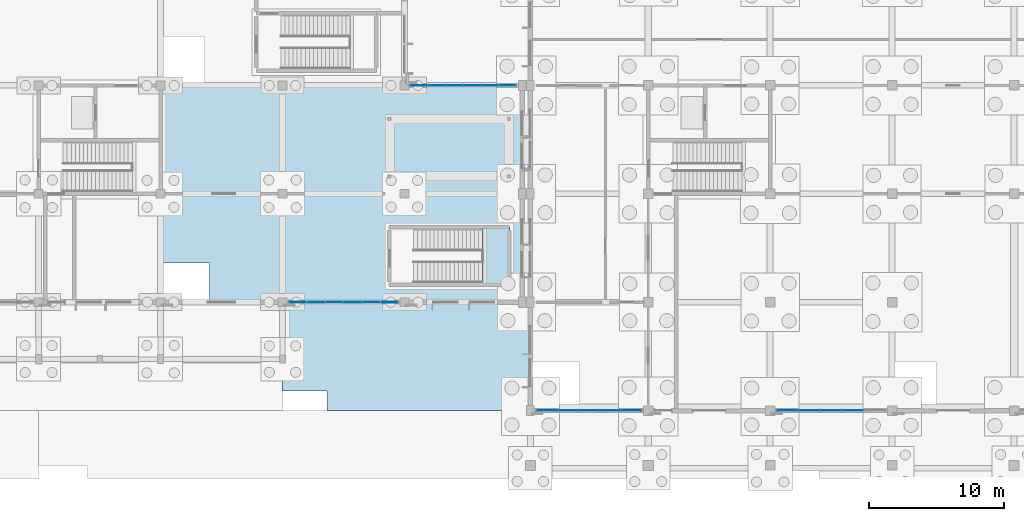
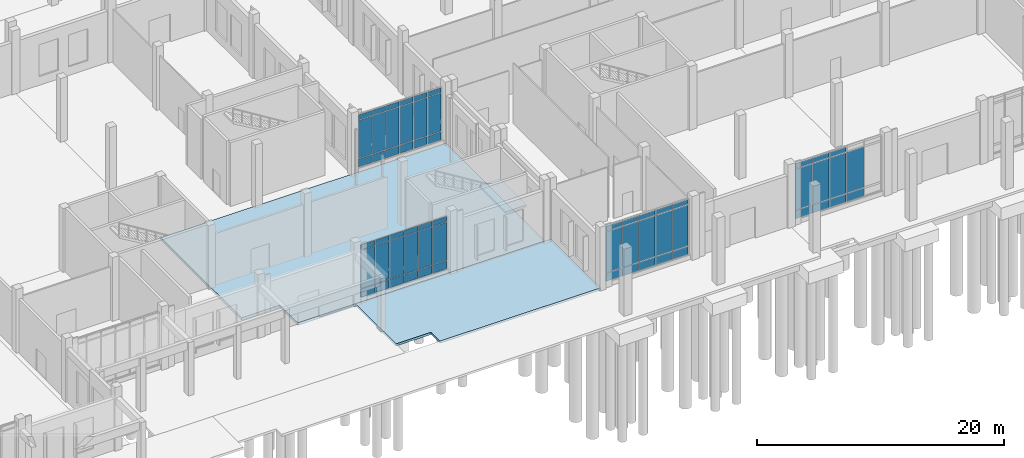
# One storey, part 49 of 99: 62 plates, 3 slabs, 5 elements without a shape of their own.
"""IFC4 building model written with IfcOpenShell, lengths in metres."""

from ifc_helpers import new_model, si_unit, direction, frame, origin, origin_2d, place, context, subcontext, project, spatial, polyline, rectangle, outline, extrude, material, layer, layer_set, type_object, element, aggregate, save


model = new_model("IFC4")

# Units and contexts
model_context = context("Model", 3, precision=1e-05, world=origin(), true_north=direction((0.0, 1.0)))
body_context = subcontext(model_context, "Body", "Model", "MODEL_VIEW")
ifc_project = project(units=[si_unit("LENGTHUNIT", "METRE"), si_unit("AREAUNIT", "SQUARE_METRE"), si_unit("VOLUMEUNIT", "CUBIC_METRE"), si_unit("PLANEANGLEUNIT", "RADIAN"), si_unit("MASSUNIT", "GRAM", prefix="KILO")], contexts=[model_context])

# Site, building, storey
site_placement = place(None, origin())
site = spatial("IfcSite", under=ifc_project, at=site_placement, CompositionType="ELEMENT")
building_placement = place(site_placement, origin())
building = spatial("IfcBuilding", under=site, at=building_placement, Name="Zacnel Wholesale Market", CompositionType="ELEMENT")
storey_placement = place(building_placement, origin())
storey = spatial("IfcBuildingStorey", under=building, at=storey_placement, Name="L01", CompositionType="ELEMENT", Elevation=0.0)

# Curtain wall, plates
ifc_material_1 = material(Name="Anodised aluminium", Category="aluminium")
ifc_layer_1 = layer(ifc_material_1, 0.179931640625)
ifc_layer_set_1 = layer_set([ifc_layer_1], Name="Anodised aluminium")
curtain_wall_type_1 = type_object("IfcCurtainWallType", Name="CW-BLVD-5400", PredefinedType="NOTDEFINED", material=ifc_layer_set_1)
curtain_wall_1_placement = place(storey_placement, origin())
curtain_wall_1 = element("IfcCurtainWall", 1, at=curtain_wall_1_placement, inside=storey, type_object=curtain_wall_type_1, Name="Curtain wall ENV-R2-CW-L01-005", PredefinedType="NOTDEFINED")
ifc_material_2 = material(Name="Laminated hurricane-impact low-E insulated glass", Category="glass")
ifc_layer_2 = layer(ifc_material_2, 0.028076171875)
ifc_layer_set_2 = layer_set([ifc_layer_2], Name="Laminated hurricane-impact low-E insulated glass")
plate_type_1 = type_object("IfcPlateType", Name="CWP-PNL-01", PredefinedType="CURTAIN_PANEL", material=ifc_layer_set_2)
plate_1_placement = place(storey_placement, frame((145.528076171875, 0.0, 1.330078125), z_axis=(0.0, 0.0, 1.0), x_axis=(1.0, 0.0, 0.0)))
plate_1 = element("IfcPlate", 2, at=plate_1_placement, type_object=plate_type_1, Name="ENV-R2-CW-L01-005 panel 1-2", PredefinedType="CURTAIN_PANEL", context=body_context, shape_type="SweptSolid", body=[
    extrude(rectangle(XDim=1.486083984375, YDim=0.028076171875, at=origin_2d()), origin(), (0.0, 0.0, 1.0), 4.0400390625),
])
plate_2_placement = place(storey_placement, frame((147.083984375, 0.0, 1.330078125), z_axis=(0.0, 0.0, 1.0), x_axis=(1.0, 0.0, 0.0)))
plate_2 = element("IfcPlate", 3, at=plate_2_placement, type_object=plate_type_1, Name="ENV-R2-CW-L01-005 panel 2-2", PredefinedType="CURTAIN_PANEL", context=body_context, shape_type="SweptSolid", body=[
    extrude(rectangle(XDim=1.486083984375, YDim=0.028076171875, at=origin_2d()), origin(), (0.0, 0.0, 1.0), 4.0400390625),
])
plate_3_placement = place(storey_placement, frame((148.639892578125, 0.0, 1.330078125), z_axis=(0.0, 0.0, 1.0), x_axis=(1.0, 0.0, 0.0)))
plate_3 = element("IfcPlate", 4, at=plate_3_placement, type_object=plate_type_1, Name="ENV-R2-CW-L01-005 panel 3-2", PredefinedType="CURTAIN_PANEL", context=body_context, shape_type="SweptSolid", body=[
    extrude(rectangle(XDim=1.486083984375, YDim=0.028076171875, at=origin_2d()), origin(), (0.0, 0.0, 1.0), 4.0400390625),
])
plate_4_placement = place(storey_placement, frame((150.196044921875, 0.0, 1.330078125), z_axis=(0.0, 0.0, 1.0), x_axis=(1.0, 0.0, 0.0)))
plate_4 = element("IfcPlate", 5, at=plate_4_placement, type_object=plate_type_1, Name="ENV-R2-CW-L01-005 panel 4-2", PredefinedType="CURTAIN_PANEL", context=body_context, shape_type="SweptSolid", body=[
    extrude(rectangle(XDim=1.486083984375, YDim=0.028076171875, at=origin_2d()), origin(), (0.0, 0.0, 1.0), 4.0400390625),
])
plate_5_placement = place(storey_placement, frame((151.751953125, 0.0, 1.330078125), z_axis=(0.0, 0.0, 1.0), x_axis=(1.0, 0.0, 0.0)))
plate_5 = element("IfcPlate", 6, at=plate_5_placement, type_object=plate_type_1, Name="ENV-R2-CW-L01-005 panel 5-2", PredefinedType="CURTAIN_PANEL", context=body_context, shape_type="SweptSolid", body=[
    extrude(rectangle(XDim=1.486083984375, YDim=0.028076171875, at=origin_2d()), origin(), (0.0, 0.0, 1.0), 4.0400390625),
])

curtain_wall_2_placement = place(storey_placement, origin())
curtain_wall_2 = element("IfcCurtainWall", 7, at=curtain_wall_2_placement, inside=storey, type_object=curtain_wall_type_1, Name="Curtain wall ENV-R2-CW-L01-006", PredefinedType="NOTDEFINED")
plate_6_placement = place(storey_placement, frame((163.27587890625, 0.0, 1.330078125), z_axis=(0.0, 0.0, 1.0), x_axis=(1.0, 0.0, 0.0)))
plate_6 = element("IfcPlate", 8, at=plate_6_placement, type_object=plate_type_1, Name="ENV-R2-CW-L01-006 panel 1-2", PredefinedType="CURTAIN_PANEL", context=body_context, shape_type="SweptSolid", body=[
    extrude(rectangle(XDim=1.5419921875, YDim=0.028076171875, at=origin_2d()), origin(), (0.0, 0.0, 1.0), 4.0400390625),
])
plate_7_placement = place(storey_placement, frame((164.887939453125, 0.0, 1.330078125), z_axis=(0.0, 0.0, 1.0), x_axis=(1.0, 0.0, 0.0)))
plate_7 = element("IfcPlate", 9, at=plate_7_placement, type_object=plate_type_1, Name="ENV-R2-CW-L01-006 panel 2-2", PredefinedType="CURTAIN_PANEL", context=body_context, shape_type="SweptSolid", body=[
    extrude(rectangle(XDim=1.5419921875, YDim=0.028076171875, at=origin_2d()), origin(), (0.0, 0.0, 1.0), 4.0400390625),
])
plate_8_placement = place(storey_placement, frame((166.5, 0.0, 1.330078125), z_axis=(0.0, 0.0, 1.0), x_axis=(1.0, 0.0, 0.0)))
plate_8 = element("IfcPlate", 10, at=plate_8_placement, type_object=plate_type_1, Name="ENV-R2-CW-L01-006 panel 3-2", PredefinedType="CURTAIN_PANEL", context=body_context, shape_type="SweptSolid", body=[
    extrude(rectangle(XDim=1.5419921875, YDim=0.028076171875, at=origin_2d()), origin(), (0.0, 0.0, 1.0), 4.0400390625),
])
plate_9_placement = place(storey_placement, frame((168.112060546875, 0.0, 1.330078125), z_axis=(0.0, 0.0, 1.0), x_axis=(1.0, 0.0, 0.0)))
plate_9 = element("IfcPlate", 11, at=plate_9_placement, type_object=plate_type_1, Name="ENV-R2-CW-L01-006 panel 4-2", PredefinedType="CURTAIN_PANEL", context=body_context, shape_type="SweptSolid", body=[
    extrude(rectangle(XDim=1.5419921875, YDim=0.028076171875, at=origin_2d()), origin(), (0.0, 0.0, 1.0), 4.0400390625),
])

ifc_material_3 = material(Name="Anodised aluminium", Category="aluminium")
ifc_layer_3 = layer(ifc_material_3, 0.159912109375)
ifc_layer_set_3 = layer_set([ifc_layer_3], Name="Anodised aluminium")
curtain_wall_type_2 = type_object("IfcCurtainWallType", Name="CW-TERR-3900", PredefinedType="NOTDEFINED", material=ifc_layer_set_3)
curtain_wall_3_placement = place(storey_placement, origin())
curtain_wall_3 = element("IfcCurtainWall", 12, at=curtain_wall_3_placement, inside=storey, type_object=curtain_wall_type_2, Name="Curtain wall ENV-R2-CW-L01-003", PredefinedType="NOTDEFINED")
ifc_material_4 = material(Name="Laminated hurricane-impact low-E insulated glass", Category="glass")
ifc_layer_4 = layer(ifc_material_4, 0.02392578125)
ifc_layer_set_4 = layer_set([ifc_layer_4], Name="Laminated hurricane-impact low-E insulated glass")
plate_type_2 = type_object("IfcPlateType", Name="CWP-PNL-03", PredefinedType="CURTAIN_PANEL", material=ifc_layer_set_4)
plate_10_placement = place(storey_placement, frame((127.125, 8.0, 1.330078125), z_axis=(0.0, 0.0, 1.0), x_axis=(1.0, 0.0, 0.0)))
plate_10 = element("IfcPlate", 13, at=plate_10_placement, type_object=plate_type_2, Name="ENV-R2-CW-L01-003 panel 1-2", PredefinedType="CURTAIN_PANEL", context=body_context, shape_type="SweptSolid", body=[
    extrude(rectangle(XDim=1.280029296875, YDim=0.02392578125, at=origin_2d()), origin(), (0.0, 0.0, 1.0), 3.760009765625),
])
plate_11_placement = place(storey_placement, frame((128.47509765625, 8.0, 1.330078125), z_axis=(0.0, 0.0, 1.0), x_axis=(1.0, 0.0, 0.0)))
plate_11 = element("IfcPlate", 14, at=plate_11_placement, type_object=plate_type_2, Name="ENV-R2-CW-L01-003 panel 2-2", PredefinedType="CURTAIN_PANEL", context=body_context, shape_type="SweptSolid", body=[
    extrude(rectangle(XDim=1.280029296875, YDim=0.02392578125, at=origin_2d()), origin(), (0.0, 0.0, 1.0), 3.760009765625),
])
plate_12_placement = place(storey_placement, frame((129.824951171875, 8.0, 1.330078125), z_axis=(0.0, 0.0, 1.0), x_axis=(1.0, 0.0, 0.0)))
plate_12 = element("IfcPlate", 15, at=plate_12_placement, type_object=plate_type_2, Name="ENV-R2-CW-L01-003 panel 3-2", PredefinedType="CURTAIN_PANEL", context=body_context, shape_type="SweptSolid", body=[
    extrude(rectangle(XDim=1.280029296875, YDim=0.02392578125, at=origin_2d()), origin(), (0.0, 0.0, 1.0), 3.760009765625),
])
plate_13_placement = place(storey_placement, frame((131.175048828125, 8.0, 1.330078125), z_axis=(0.0, 0.0, 1.0), x_axis=(1.0, 0.0, 0.0)))
plate_13 = element("IfcPlate", 16, at=plate_13_placement, type_object=plate_type_2, Name="ENV-R2-CW-L01-003 panel 4-2", PredefinedType="CURTAIN_PANEL", context=body_context, shape_type="SweptSolid", body=[
    extrude(rectangle(XDim=1.280029296875, YDim=0.02392578125, at=origin_2d()), origin(), (0.0, 0.0, 1.0), 3.760009765625),
])
plate_14_placement = place(storey_placement, frame((132.52490234375, 8.0, 1.330078125), z_axis=(0.0, 0.0, 1.0), x_axis=(1.0, 0.0, 0.0)))
plate_14 = element("IfcPlate", 17, at=plate_14_placement, type_object=plate_type_2, Name="ENV-R2-CW-L01-003 panel 5-2", PredefinedType="CURTAIN_PANEL", context=body_context, shape_type="SweptSolid", body=[
    extrude(rectangle(XDim=1.280029296875, YDim=0.02392578125, at=origin_2d()), origin(), (0.0, 0.0, 1.0), 3.760009765625),
])
plate_15_placement = place(storey_placement, frame((133.875, 8.0, 1.330078125), z_axis=(0.0, 0.0, 1.0), x_axis=(1.0, 0.0, 0.0)))
plate_15 = element("IfcPlate", 18, at=plate_15_placement, type_object=plate_type_2, Name="ENV-R2-CW-L01-003 panel 6-2", PredefinedType="CURTAIN_PANEL", context=body_context, shape_type="SweptSolid", body=[
    extrude(rectangle(XDim=1.280029296875, YDim=0.02392578125, at=origin_2d()), origin(), (0.0, 0.0, 1.0), 3.760009765625),
])

curtain_wall_4_placement = place(storey_placement, origin())
curtain_wall_4 = element("IfcCurtainWall", 19, at=curtain_wall_4_placement, inside=storey, type_object=curtain_wall_type_2, Name="Curtain wall ENV-R2-CW-L01-004", PredefinedType="NOTDEFINED")
plate_16_placement = place(storey_placement, frame((136.10009765625, 24.0, 1.330078125), z_axis=(0.0, 0.0, 1.0), x_axis=(1.0, 0.0, 0.0)))
plate_16 = element("IfcPlate", 20, at=plate_16_placement, type_object=plate_type_2, Name="ENV-R2-CW-L01-004 panel 1-2", PredefinedType="CURTAIN_PANEL", context=body_context, shape_type="SweptSolid", body=[
    extrude(rectangle(XDim=1.22998046875, YDim=0.02392578125, at=origin_2d()), origin(), (0.0, 0.0, 1.0), 3.760009765625),
])
plate_17_placement = place(storey_placement, frame((137.39990234375, 24.0, 1.330078125), z_axis=(0.0, 0.0, 1.0), x_axis=(1.0, 0.0, 0.0)))
plate_17 = element("IfcPlate", 21, at=plate_17_placement, type_object=plate_type_2, Name="ENV-R2-CW-L01-004 panel 2-2", PredefinedType="CURTAIN_PANEL", context=body_context, shape_type="SweptSolid", body=[
    extrude(rectangle(XDim=1.22998046875, YDim=0.02392578125, at=origin_2d()), origin(), (0.0, 0.0, 1.0), 3.760009765625),
])
plate_18_placement = place(storey_placement, frame((138.699951171875, 24.0, 1.330078125), z_axis=(0.0, 0.0, 1.0), x_axis=(1.0, 0.0, 0.0)))
plate_18 = element("IfcPlate", 22, at=plate_18_placement, type_object=plate_type_2, Name="ENV-R2-CW-L01-004 panel 3-2", PredefinedType="CURTAIN_PANEL", context=body_context, shape_type="SweptSolid", body=[
    extrude(rectangle(XDim=1.22998046875, YDim=0.02392578125, at=origin_2d()), origin(), (0.0, 0.0, 1.0), 3.760009765625),
])
plate_19_placement = place(storey_placement, frame((140.0, 24.0, 1.330078125), z_axis=(0.0, 0.0, 1.0), x_axis=(1.0, 0.0, 0.0)))
plate_19 = element("IfcPlate", 23, at=plate_19_placement, type_object=plate_type_2, Name="ENV-R2-CW-L01-004 panel 4-2", PredefinedType="CURTAIN_PANEL", context=body_context, shape_type="SweptSolid", body=[
    extrude(rectangle(XDim=1.22998046875, YDim=0.02392578125, at=origin_2d()), origin(), (0.0, 0.0, 1.0), 3.760009765625),
])
plate_20_placement = place(storey_placement, frame((141.300048828125, 24.0, 1.330078125), z_axis=(0.0, 0.0, 1.0), x_axis=(1.0, 0.0, 0.0)))
plate_20 = element("IfcPlate", 24, at=plate_20_placement, type_object=plate_type_2, Name="ENV-R2-CW-L01-004 panel 5-2", PredefinedType="CURTAIN_PANEL", context=body_context, shape_type="SweptSolid", body=[
    extrude(rectangle(XDim=1.22998046875, YDim=0.02392578125, at=origin_2d()), origin(), (0.0, 0.0, 1.0), 3.760009765625),
])
plate_21_placement = place(storey_placement, frame((142.60009765625, 24.0, 1.330078125), z_axis=(0.0, 0.0, 1.0), x_axis=(1.0, 0.0, 0.0)))
plate_21 = element("IfcPlate", 25, at=plate_21_placement, type_object=plate_type_2, Name="ENV-R2-CW-L01-004 panel 6-2", PredefinedType="CURTAIN_PANEL", context=body_context, shape_type="SweptSolid", body=[
    extrude(rectangle(XDim=1.22998046875, YDim=0.02392578125, at=origin_2d()), origin(), (0.0, 0.0, 1.0), 3.760009765625),
])

# Plate
ifc_material_5 = material(Name="Anodised aluminium", Category="aluminium")
ifc_layer_5 = layer(ifc_material_5, 0.0400390625)
ifc_layer_set_5 = layer_set([ifc_layer_5], Name="Anodised aluminium")
plate_type_3 = type_object("IfcPlateType", Name="CWP-PNL-05", PredefinedType="CURTAIN_PANEL", material=ifc_layer_set_5)
plate_22_placement = place(storey_placement, frame((127.125, 8.0, 0.47998046875), z_axis=(0.0, 0.0, 1.0), x_axis=(1.0, 0.0, 0.0)))
plate_22 = element("IfcPlate", 26, at=plate_22_placement, type_object=plate_type_3, Name="ENV-R2-CW-L01-003 panel 1-1", PredefinedType="CURTAIN_PANEL", context=body_context, shape_type="SweptSolid", body=[
    extrude(rectangle(XDim=1.280029296875, YDim=0.0400390625, at=origin_2d()), origin(), (0.0, 0.0, 1.0), 0.7900390625),
])

plate_23_placement = place(storey_placement, frame((127.125, 8.0, 5.14990234375), z_axis=(0.0, 0.0, 1.0), x_axis=(1.0, 0.0, 0.0)))
plate_23 = element("IfcPlate", 27, at=plate_23_placement, type_object=plate_type_3, Name="ENV-R2-CW-L01-003 panel 1-3", PredefinedType="CURTAIN_PANEL", context=body_context, shape_type="SweptSolid", body=[
    extrude(rectangle(XDim=1.280029296875, YDim=0.0400390625, at=origin_2d()), origin(), (0.0, 0.0, 1.0), 0.489990234375),
])

plate_24_placement = place(storey_placement, frame((129.824951171875, 8.0, 0.47998046875), z_axis=(0.0, 0.0, 1.0), x_axis=(1.0, 0.0, 0.0)))
plate_24 = element("IfcPlate", 28, at=plate_24_placement, type_object=plate_type_3, Name="ENV-R2-CW-L01-003 panel 3-1", PredefinedType="CURTAIN_PANEL", context=body_context, shape_type="SweptSolid", body=[
    extrude(rectangle(XDim=1.280029296875, YDim=0.0400390625, at=origin_2d()), origin(), (0.0, 0.0, 1.0), 0.7900390625),
])

plate_25_placement = place(storey_placement, frame((129.824951171875, 8.0, 5.14990234375), z_axis=(0.0, 0.0, 1.0), x_axis=(1.0, 0.0, 0.0)))
plate_25 = element("IfcPlate", 29, at=plate_25_placement, type_object=plate_type_3, Name="ENV-R2-CW-L01-003 panel 3-3", PredefinedType="CURTAIN_PANEL", context=body_context, shape_type="SweptSolid", body=[
    extrude(rectangle(XDim=1.280029296875, YDim=0.0400390625, at=origin_2d()), origin(), (0.0, 0.0, 1.0), 0.489990234375),
])

plate_26_placement = place(storey_placement, frame((132.52490234375, 8.0, 0.47998046875), z_axis=(0.0, 0.0, 1.0), x_axis=(1.0, 0.0, 0.0)))
plate_26 = element("IfcPlate", 30, at=plate_26_placement, type_object=plate_type_3, Name="ENV-R2-CW-L01-003 panel 5-1", PredefinedType="CURTAIN_PANEL", context=body_context, shape_type="SweptSolid", body=[
    extrude(rectangle(XDim=1.280029296875, YDim=0.0400390625, at=origin_2d()), origin(), (0.0, 0.0, 1.0), 0.7900390625),
])

plate_27_placement = place(storey_placement, frame((132.52490234375, 8.0, 5.14990234375), z_axis=(0.0, 0.0, 1.0), x_axis=(1.0, 0.0, 0.0)))
plate_27 = element("IfcPlate", 31, at=plate_27_placement, type_object=plate_type_3, Name="ENV-R2-CW-L01-003 panel 5-3", PredefinedType="CURTAIN_PANEL", context=body_context, shape_type="SweptSolid", body=[
    extrude(rectangle(XDim=1.280029296875, YDim=0.0400390625, at=origin_2d()), origin(), (0.0, 0.0, 1.0), 0.489990234375),
])

plate_28_placement = place(storey_placement, frame((136.10009765625, 24.0, 0.47998046875), z_axis=(0.0, 0.0, 1.0), x_axis=(1.0, 0.0, 0.0)))
plate_28 = element("IfcPlate", 32, at=plate_28_placement, type_object=plate_type_3, Name="ENV-R2-CW-L01-004 panel 1-1", PredefinedType="CURTAIN_PANEL", context=body_context, shape_type="SweptSolid", body=[
    extrude(rectangle(XDim=1.22998046875, YDim=0.0400390625, at=origin_2d()), origin(), (0.0, 0.0, 1.0), 0.7900390625),
])

plate_29_placement = place(storey_placement, frame((136.10009765625, 24.0, 5.14990234375), z_axis=(0.0, 0.0, 1.0), x_axis=(1.0, 0.0, 0.0)))
plate_29 = element("IfcPlate", 33, at=plate_29_placement, type_object=plate_type_3, Name="ENV-R2-CW-L01-004 panel 1-3", PredefinedType="CURTAIN_PANEL", context=body_context, shape_type="SweptSolid", body=[
    extrude(rectangle(XDim=1.22998046875, YDim=0.0400390625, at=origin_2d()), origin(), (0.0, 0.0, 1.0), 0.489990234375),
])

plate_30_placement = place(storey_placement, frame((138.699951171875, 24.0, 0.47998046875), z_axis=(0.0, 0.0, 1.0), x_axis=(1.0, 0.0, 0.0)))
plate_30 = element("IfcPlate", 34, at=plate_30_placement, type_object=plate_type_3, Name="ENV-R2-CW-L01-004 panel 3-1", PredefinedType="CURTAIN_PANEL", context=body_context, shape_type="SweptSolid", body=[
    extrude(rectangle(XDim=1.22998046875, YDim=0.0400390625, at=origin_2d()), origin(), (0.0, 0.0, 1.0), 0.7900390625),
])

plate_31_placement = place(storey_placement, frame((138.699951171875, 24.0, 5.14990234375), z_axis=(0.0, 0.0, 1.0), x_axis=(1.0, 0.0, 0.0)))
plate_31 = element("IfcPlate", 35, at=plate_31_placement, type_object=plate_type_3, Name="ENV-R2-CW-L01-004 panel 3-3", PredefinedType="CURTAIN_PANEL", context=body_context, shape_type="SweptSolid", body=[
    extrude(rectangle(XDim=1.22998046875, YDim=0.0400390625, at=origin_2d()), origin(), (0.0, 0.0, 1.0), 0.489990234375),
])

plate_32_placement = place(storey_placement, frame((141.300048828125, 24.0, 0.47998046875), z_axis=(0.0, 0.0, 1.0), x_axis=(1.0, 0.0, 0.0)))
plate_32 = element("IfcPlate", 36, at=plate_32_placement, type_object=plate_type_3, Name="ENV-R2-CW-L01-004 panel 5-1", PredefinedType="CURTAIN_PANEL", context=body_context, shape_type="SweptSolid", body=[
    extrude(rectangle(XDim=1.22998046875, YDim=0.0400390625, at=origin_2d()), origin(), (0.0, 0.0, 1.0), 0.7900390625),
])

plate_33_placement = place(storey_placement, frame((141.300048828125, 24.0, 5.14990234375), z_axis=(0.0, 0.0, 1.0), x_axis=(1.0, 0.0, 0.0)))
plate_33 = element("IfcPlate", 37, at=plate_33_placement, type_object=plate_type_3, Name="ENV-R2-CW-L01-004 panel 5-3", PredefinedType="CURTAIN_PANEL", context=body_context, shape_type="SweptSolid", body=[
    extrude(rectangle(XDim=1.22998046875, YDim=0.0400390625, at=origin_2d()), origin(), (0.0, 0.0, 1.0), 0.489990234375),
])

plate_34_placement = place(storey_placement, frame((145.528076171875, 0.0, 0.47998046875), z_axis=(0.0, 0.0, 1.0), x_axis=(1.0, 0.0, 0.0)))
plate_34 = element("IfcPlate", 38, at=plate_34_placement, type_object=plate_type_3, Name="ENV-R2-CW-L01-005 panel 1-1", PredefinedType="CURTAIN_PANEL", context=body_context, shape_type="SweptSolid", body=[
    extrude(rectangle(XDim=1.486083984375, YDim=0.0400390625, at=origin_2d()), origin(), (0.0, 0.0, 1.0), 0.7900390625),
])

plate_35_placement = place(storey_placement, frame((145.528076171875, 0.0, 5.43017578125), z_axis=(0.0, 0.0, 1.0), x_axis=(1.0, 0.0, 0.0)))
plate_35 = element("IfcPlate", 39, at=plate_35_placement, type_object=plate_type_3, Name="ENV-R2-CW-L01-005 panel 1-3", PredefinedType="CURTAIN_PANEL", context=body_context, shape_type="SweptSolid", body=[
    extrude(rectangle(XDim=1.486083984375, YDim=0.0400390625, at=origin_2d()), origin(), (0.0, 0.0, 1.0), 0.489990234375),
])

plate_36_placement = place(storey_placement, frame((148.639892578125, 0.0, 0.47998046875), z_axis=(0.0, 0.0, 1.0), x_axis=(1.0, 0.0, 0.0)))
plate_36 = element("IfcPlate", 40, at=plate_36_placement, type_object=plate_type_3, Name="ENV-R2-CW-L01-005 panel 3-1", PredefinedType="CURTAIN_PANEL", context=body_context, shape_type="SweptSolid", body=[
    extrude(rectangle(XDim=1.486083984375, YDim=0.0400390625, at=origin_2d()), origin(), (0.0, 0.0, 1.0), 0.7900390625),
])

plate_37_placement = place(storey_placement, frame((148.639892578125, 0.0, 5.43017578125), z_axis=(0.0, 0.0, 1.0), x_axis=(1.0, 0.0, 0.0)))
plate_37 = element("IfcPlate", 41, at=plate_37_placement, type_object=plate_type_3, Name="ENV-R2-CW-L01-005 panel 3-3", PredefinedType="CURTAIN_PANEL", context=body_context, shape_type="SweptSolid", body=[
    extrude(rectangle(XDim=1.486083984375, YDim=0.0400390625, at=origin_2d()), origin(), (0.0, 0.0, 1.0), 0.489990234375),
])

plate_38_placement = place(storey_placement, frame((151.751953125, 0.0, 0.47998046875), z_axis=(0.0, 0.0, 1.0), x_axis=(1.0, 0.0, 0.0)))
plate_38 = element("IfcPlate", 42, at=plate_38_placement, type_object=plate_type_3, Name="ENV-R2-CW-L01-005 panel 5-1", PredefinedType="CURTAIN_PANEL", context=body_context, shape_type="SweptSolid", body=[
    extrude(rectangle(XDim=1.486083984375, YDim=0.0400390625, at=origin_2d()), origin(), (0.0, 0.0, 1.0), 0.7900390625),
])

plate_39_placement = place(storey_placement, frame((151.751953125, 0.0, 5.43017578125), z_axis=(0.0, 0.0, 1.0), x_axis=(1.0, 0.0, 0.0)))
plate_39 = element("IfcPlate", 43, at=plate_39_placement, type_object=plate_type_3, Name="ENV-R2-CW-L01-005 panel 5-3", PredefinedType="CURTAIN_PANEL", context=body_context, shape_type="SweptSolid", body=[
    extrude(rectangle(XDim=1.486083984375, YDim=0.0400390625, at=origin_2d()), origin(), (0.0, 0.0, 1.0), 0.489990234375),
])

plate_40_placement = place(storey_placement, frame((163.27587890625, 0.0, 0.47998046875), z_axis=(0.0, 0.0, 1.0), x_axis=(1.0, 0.0, 0.0)))
plate_40 = element("IfcPlate", 44, at=plate_40_placement, type_object=plate_type_3, Name="ENV-R2-CW-L01-006 panel 1-1", PredefinedType="CURTAIN_PANEL", context=body_context, shape_type="SweptSolid", body=[
    extrude(rectangle(XDim=1.5419921875, YDim=0.0400390625, at=origin_2d()), origin(), (0.0, 0.0, 1.0), 0.7900390625),
])

plate_41_placement = place(storey_placement, frame((163.27587890625, 0.0, 5.43017578125), z_axis=(0.0, 0.0, 1.0), x_axis=(1.0, 0.0, 0.0)))
plate_41 = element("IfcPlate", 45, at=plate_41_placement, type_object=plate_type_3, Name="ENV-R2-CW-L01-006 panel 1-3", PredefinedType="CURTAIN_PANEL", context=body_context, shape_type="SweptSolid", body=[
    extrude(rectangle(XDim=1.5419921875, YDim=0.0400390625, at=origin_2d()), origin(), (0.0, 0.0, 1.0), 0.489990234375),
])

plate_42_placement = place(storey_placement, frame((166.5, 0.0, 0.47998046875), z_axis=(0.0, 0.0, 1.0), x_axis=(1.0, 0.0, 0.0)))
plate_42 = element("IfcPlate", 46, at=plate_42_placement, type_object=plate_type_3, Name="ENV-R2-CW-L01-006 panel 3-1", PredefinedType="CURTAIN_PANEL", context=body_context, shape_type="SweptSolid", body=[
    extrude(rectangle(XDim=1.5419921875, YDim=0.0400390625, at=origin_2d()), origin(), (0.0, 0.0, 1.0), 0.7900390625),
])

plate_43_placement = place(storey_placement, frame((166.5, 0.0, 5.43017578125), z_axis=(0.0, 0.0, 1.0), x_axis=(1.0, 0.0, 0.0)))
plate_43 = element("IfcPlate", 47, at=plate_43_placement, type_object=plate_type_3, Name="ENV-R2-CW-L01-006 panel 3-3", PredefinedType="CURTAIN_PANEL", context=body_context, shape_type="SweptSolid", body=[
    extrude(rectangle(XDim=1.5419921875, YDim=0.0400390625, at=origin_2d()), origin(), (0.0, 0.0, 1.0), 0.489990234375),
])

ifc_material_6 = material(Name="Honed Yucatan Maya cream limestone", Category="masonry")
ifc_layer_6 = layer(ifc_material_6, 0.044921875)
ifc_layer_set_6 = layer_set([ifc_layer_6], Name="Honed Yucatan Maya cream limestone")
plate_type_4 = type_object("IfcPlateType", Name="CWP-PNL-06", PredefinedType="CURTAIN_PANEL", material=ifc_layer_set_6)
plate_44_placement = place(storey_placement, frame((128.47509765625, 8.0, 0.47998046875), z_axis=(0.0, 0.0, 1.0), x_axis=(1.0, 0.0, 0.0)))
plate_44 = element("IfcPlate", 48, at=plate_44_placement, type_object=plate_type_4, Name="ENV-R2-CW-L01-003 panel 2-1", PredefinedType="CURTAIN_PANEL", context=body_context, shape_type="SweptSolid", body=[
    extrude(rectangle(XDim=1.280029296875, YDim=0.044921875, at=origin_2d()), origin(), (0.0, 0.0, 1.0), 0.7900390625),
])

plate_45_placement = place(storey_placement, frame((128.47509765625, 8.0, 5.14990234375), z_axis=(0.0, 0.0, 1.0), x_axis=(1.0, 0.0, 0.0)))
plate_45 = element("IfcPlate", 49, at=plate_45_placement, type_object=plate_type_4, Name="ENV-R2-CW-L01-003 panel 2-3", PredefinedType="CURTAIN_PANEL", context=body_context, shape_type="SweptSolid", body=[
    extrude(rectangle(XDim=1.280029296875, YDim=0.044921875, at=origin_2d()), origin(), (0.0, 0.0, 1.0), 0.489990234375),
])

plate_46_placement = place(storey_placement, frame((131.175048828125, 8.0, 0.47998046875), z_axis=(0.0, 0.0, 1.0), x_axis=(1.0, 0.0, 0.0)))
plate_46 = element("IfcPlate", 50, at=plate_46_placement, type_object=plate_type_4, Name="ENV-R2-CW-L01-003 panel 4-1", PredefinedType="CURTAIN_PANEL", context=body_context, shape_type="SweptSolid", body=[
    extrude(rectangle(XDim=1.280029296875, YDim=0.044921875, at=origin_2d()), origin(), (0.0, 0.0, 1.0), 0.7900390625),
])

plate_47_placement = place(storey_placement, frame((131.175048828125, 8.0, 5.14990234375), z_axis=(0.0, 0.0, 1.0), x_axis=(1.0, 0.0, 0.0)))
plate_47 = element("IfcPlate", 51, at=plate_47_placement, type_object=plate_type_4, Name="ENV-R2-CW-L01-003 panel 4-3", PredefinedType="CURTAIN_PANEL", context=body_context, shape_type="SweptSolid", body=[
    extrude(rectangle(XDim=1.280029296875, YDim=0.044921875, at=origin_2d()), origin(), (0.0, 0.0, 1.0), 0.489990234375),
])

plate_48_placement = place(storey_placement, frame((133.875, 8.0, 0.47998046875), z_axis=(0.0, 0.0, 1.0), x_axis=(1.0, 0.0, 0.0)))
plate_48 = element("IfcPlate", 52, at=plate_48_placement, type_object=plate_type_4, Name="ENV-R2-CW-L01-003 panel 6-1", PredefinedType="CURTAIN_PANEL", context=body_context, shape_type="SweptSolid", body=[
    extrude(rectangle(XDim=1.280029296875, YDim=0.044921875, at=origin_2d()), origin(), (0.0, 0.0, 1.0), 0.7900390625),
])

plate_49_placement = place(storey_placement, frame((133.875, 8.0, 5.14990234375), z_axis=(0.0, 0.0, 1.0), x_axis=(1.0, 0.0, 0.0)))
plate_49 = element("IfcPlate", 53, at=plate_49_placement, type_object=plate_type_4, Name="ENV-R2-CW-L01-003 panel 6-3", PredefinedType="CURTAIN_PANEL", context=body_context, shape_type="SweptSolid", body=[
    extrude(rectangle(XDim=1.280029296875, YDim=0.044921875, at=origin_2d()), origin(), (0.0, 0.0, 1.0), 0.489990234375),
])

aggregate(curtain_wall_3, [plate_22, plate_10, plate_23, plate_44, plate_11, plate_45, plate_24, plate_12, plate_25, plate_46, plate_13, plate_47, plate_26, plate_14, plate_27, plate_48, plate_15, plate_49])

plate_50_placement = place(storey_placement, frame((137.39990234375, 24.0, 0.47998046875), z_axis=(0.0, 0.0, 1.0), x_axis=(1.0, 0.0, 0.0)))
plate_50 = element("IfcPlate", 54, at=plate_50_placement, type_object=plate_type_4, Name="ENV-R2-CW-L01-004 panel 2-1", PredefinedType="CURTAIN_PANEL", context=body_context, shape_type="SweptSolid", body=[
    extrude(rectangle(XDim=1.22998046875, YDim=0.044921875, at=origin_2d()), origin(), (0.0, 0.0, 1.0), 0.7900390625),
])

plate_51_placement = place(storey_placement, frame((137.39990234375, 24.0, 5.14990234375), z_axis=(0.0, 0.0, 1.0), x_axis=(1.0, 0.0, 0.0)))
plate_51 = element("IfcPlate", 55, at=plate_51_placement, type_object=plate_type_4, Name="ENV-R2-CW-L01-004 panel 2-3", PredefinedType="CURTAIN_PANEL", context=body_context, shape_type="SweptSolid", body=[
    extrude(rectangle(XDim=1.22998046875, YDim=0.044921875, at=origin_2d()), origin(), (0.0, 0.0, 1.0), 0.489990234375),
])

plate_52_placement = place(storey_placement, frame((140.0, 24.0, 0.47998046875), z_axis=(0.0, 0.0, 1.0), x_axis=(1.0, 0.0, 0.0)))
plate_52 = element("IfcPlate", 56, at=plate_52_placement, type_object=plate_type_4, Name="ENV-R2-CW-L01-004 panel 4-1", PredefinedType="CURTAIN_PANEL", context=body_context, shape_type="SweptSolid", body=[
    extrude(rectangle(XDim=1.22998046875, YDim=0.044921875, at=origin_2d()), origin(), (0.0, 0.0, 1.0), 0.7900390625),
])

plate_53_placement = place(storey_placement, frame((140.0, 24.0, 5.14990234375), z_axis=(0.0, 0.0, 1.0), x_axis=(1.0, 0.0, 0.0)))
plate_53 = element("IfcPlate", 57, at=plate_53_placement, type_object=plate_type_4, Name="ENV-R2-CW-L01-004 panel 4-3", PredefinedType="CURTAIN_PANEL", context=body_context, shape_type="SweptSolid", body=[
    extrude(rectangle(XDim=1.22998046875, YDim=0.044921875, at=origin_2d()), origin(), (0.0, 0.0, 1.0), 0.489990234375),
])

plate_54_placement = place(storey_placement, frame((142.60009765625, 24.0, 0.47998046875), z_axis=(0.0, 0.0, 1.0), x_axis=(1.0, 0.0, 0.0)))
plate_54 = element("IfcPlate", 58, at=plate_54_placement, type_object=plate_type_4, Name="ENV-R2-CW-L01-004 panel 6-1", PredefinedType="CURTAIN_PANEL", context=body_context, shape_type="SweptSolid", body=[
    extrude(rectangle(XDim=1.22998046875, YDim=0.044921875, at=origin_2d()), origin(), (0.0, 0.0, 1.0), 0.7900390625),
])

plate_55_placement = place(storey_placement, frame((142.60009765625, 24.0, 5.14990234375), z_axis=(0.0, 0.0, 1.0), x_axis=(1.0, 0.0, 0.0)))
plate_55 = element("IfcPlate", 59, at=plate_55_placement, type_object=plate_type_4, Name="ENV-R2-CW-L01-004 panel 6-3", PredefinedType="CURTAIN_PANEL", context=body_context, shape_type="SweptSolid", body=[
    extrude(rectangle(XDim=1.22998046875, YDim=0.044921875, at=origin_2d()), origin(), (0.0, 0.0, 1.0), 0.489990234375),
])

aggregate(curtain_wall_4, [plate_28, plate_16, plate_29, plate_50, plate_17, plate_51, plate_30, plate_18, plate_31, plate_52, plate_19, plate_53, plate_32, plate_20, plate_33, plate_54, plate_21, plate_55])

plate_56_placement = place(storey_placement, frame((147.083984375, 0.0, 0.47998046875), z_axis=(0.0, 0.0, 1.0), x_axis=(1.0, 0.0, 0.0)))
plate_56 = element("IfcPlate", 60, at=plate_56_placement, type_object=plate_type_4, Name="ENV-R2-CW-L01-005 panel 2-1", PredefinedType="CURTAIN_PANEL", context=body_context, shape_type="SweptSolid", body=[
    extrude(rectangle(XDim=1.486083984375, YDim=0.044921875, at=origin_2d()), origin(), (0.0, 0.0, 1.0), 0.7900390625),
])

plate_57_placement = place(storey_placement, frame((147.083984375, 0.0, 5.43017578125), z_axis=(0.0, 0.0, 1.0), x_axis=(1.0, 0.0, 0.0)))
plate_57 = element("IfcPlate", 61, at=plate_57_placement, type_object=plate_type_4, Name="ENV-R2-CW-L01-005 panel 2-3", PredefinedType="CURTAIN_PANEL", context=body_context, shape_type="SweptSolid", body=[
    extrude(rectangle(XDim=1.486083984375, YDim=0.044921875, at=origin_2d()), origin(), (0.0, 0.0, 1.0), 0.489990234375),
])

plate_58_placement = place(storey_placement, frame((150.196044921875, 0.0, 0.47998046875), z_axis=(0.0, 0.0, 1.0), x_axis=(1.0, 0.0, 0.0)))
plate_58 = element("IfcPlate", 62, at=plate_58_placement, type_object=plate_type_4, Name="ENV-R2-CW-L01-005 panel 4-1", PredefinedType="CURTAIN_PANEL", context=body_context, shape_type="SweptSolid", body=[
    extrude(rectangle(XDim=1.486083984375, YDim=0.044921875, at=origin_2d()), origin(), (0.0, 0.0, 1.0), 0.7900390625),
])

plate_59_placement = place(storey_placement, frame((150.196044921875, 0.0, 5.43017578125), z_axis=(0.0, 0.0, 1.0), x_axis=(1.0, 0.0, 0.0)))
plate_59 = element("IfcPlate", 63, at=plate_59_placement, type_object=plate_type_4, Name="ENV-R2-CW-L01-005 panel 4-3", PredefinedType="CURTAIN_PANEL", context=body_context, shape_type="SweptSolid", body=[
    extrude(rectangle(XDim=1.486083984375, YDim=0.044921875, at=origin_2d()), origin(), (0.0, 0.0, 1.0), 0.489990234375),
])

aggregate(curtain_wall_1, [plate_34, plate_1, plate_35, plate_56, plate_2, plate_57, plate_36, plate_3, plate_37, plate_58, plate_4, plate_59, plate_38, plate_5, plate_39])

plate_60_placement = place(storey_placement, frame((164.887939453125, 0.0, 0.47998046875), z_axis=(0.0, 0.0, 1.0), x_axis=(1.0, 0.0, 0.0)))
plate_60 = element("IfcPlate", 64, at=plate_60_placement, type_object=plate_type_4, Name="ENV-R2-CW-L01-006 panel 2-1", PredefinedType="CURTAIN_PANEL", context=body_context, shape_type="SweptSolid", body=[
    extrude(rectangle(XDim=1.5419921875, YDim=0.044921875, at=origin_2d()), origin(), (0.0, 0.0, 1.0), 0.7900390625),
])

plate_61_placement = place(storey_placement, frame((164.887939453125, 0.0, 5.43017578125), z_axis=(0.0, 0.0, 1.0), x_axis=(1.0, 0.0, 0.0)))
plate_61 = element("IfcPlate", 65, at=plate_61_placement, type_object=plate_type_4, Name="ENV-R2-CW-L01-006 panel 2-3", PredefinedType="CURTAIN_PANEL", context=body_context, shape_type="SweptSolid", body=[
    extrude(rectangle(XDim=1.5419921875, YDim=0.044921875, at=origin_2d()), origin(), (0.0, 0.0, 1.0), 0.489990234375),
])

plate_62_placement = place(storey_placement, frame((168.112060546875, 0.0, 0.47998046875), z_axis=(0.0, 0.0, 1.0), x_axis=(1.0, 0.0, 0.0)))
plate_62 = element("IfcPlate", 66, at=plate_62_placement, type_object=plate_type_4, Name="ENV-R2-CW-L01-006 panel 4-1", PredefinedType="CURTAIN_PANEL", context=body_context, shape_type="SweptSolid", body=[
    extrude(rectangle(XDim=1.5419921875, YDim=0.044921875, at=origin_2d()), origin(), (0.0, 0.0, 1.0), 0.7900390625),
])

aggregate(curtain_wall_2, [plate_40, plate_6, plate_41, plate_60, plate_7, plate_61, plate_42, plate_8, plate_43, plate_62, plate_9])

# Slabs
ifc_material_7 = material(Name="Concrete C35/45", Category="concrete")
ifc_layer_7 = layer(ifc_material_7, 0.219970703125)
ifc_layer_set_7 = layer_set([ifc_layer_7], Name="Concrete C35/45")
slab_type_1 = type_object("IfcSlabType", Name="SLB-BASE-220", PredefinedType="BASESLAB", material=ifc_layer_set_7)
slab_1_placement = place(storey_placement, frame((0.0, 0.0, -0.219970703125)))
element("IfcSlab", 67, at=slab_1_placement, inside=storey, type_object=slab_type_1, Name="Structural slab SLB-L01-FORECOURT-N-P2", PredefinedType="BASESLAB", context=body_context, shape_type="SweptSolid", body=[
    extrude(outline(polyline([(129.2900390625, 0.0), (144.300048828125, 0.0), (144.300048828125, 8.0), (126.0, 8.0), (126.0, 1.43994140625), (129.2900390625, 1.43994140625), (129.2900390625, 0.0)])), origin(), (0.0, 0.0, 1.0), 0.219970703125),
])
ifc_material_8 = material(Name="Concrete C35/45", Category="concrete")
ifc_layer_8 = layer(ifc_material_8, 0.260009765625)
ifc_layer_set_8 = layer_set([ifc_layer_8], Name="Concrete C35/45")
slab_type_2 = type_object("IfcSlabType", Name="SLB-BASE-260", PredefinedType="BASESLAB", material=ifc_layer_set_8)
slab_2_placement = place(storey_placement, frame((0.0, 0.0, -0.260009765625)))
element("IfcSlab", 68, at=slab_2_placement, inside=storey, type_object=slab_type_2, Name="Structural slab SLB-L01-V4-FLW-P2", PredefinedType="BASESLAB", context=body_context, shape_type="SweptSolid", body=[
    extrude(outline(polyline([(120.60009765625, 8.0), (143.699951171875, 8.0), (143.699951171875, 24.0), (117.0, 24.0), (117.0, 10.8798828125), (120.60009765625, 10.8798828125), (120.60009765625, 8.0)])), origin(), (0.0, 0.0, 1.0), 0.260009765625),
])

# Stair, slab
ifc_material_9 = material(Name="Precast concrete C45/55", Category="concrete")
stair_type = type_object("IfcStairType", Name="STR-DOGLEG-1550", PredefinedType="HALF_TURN_STAIR", material=ifc_material_9)
stair_placement = place(storey_placement, origin())
stair = element("IfcStair", 69, at=stair_placement, inside=storey, type_object=stair_type, Name="Stair ST-24 (L01)", PredefinedType="HALF_TURN_STAIR")
ifc_material_10 = material(Name="Precast concrete C45/55", Category="concrete")
ifc_layer_9 = layer(ifc_material_10, 0.199951171875)
ifc_layer_set_9 = layer_set([ifc_layer_9], Name="Precast concrete C45/55")
slab_type_3 = type_object("IfcSlabType", Name="SLB-LAND-200", PredefinedType="LANDING", material=ifc_layer_set_9)
slab_3_placement = place(storey_placement, frame((0.0, 0.0, 2.949951171875)))
slab_3 = element("IfcSlab", 70, at=slab_3_placement, type_object=slab_type_3, Name="ST-24 landing 1", PredefinedType="LANDING", context=body_context, shape_type="SweptSolid", body=[
    extrude(outline(polyline([(140.780029296875, 9.260009765625), (142.739990234375, 9.260009765625), (142.739990234375, 13.5400390625), (140.780029296875, 13.5400390625), (140.780029296875, 9.260009765625)])), origin(), (0.0, 0.0, 1.0), 0.199951171875),
])
aggregate(stair, [slab_3])

save(model, "model.ifc")
